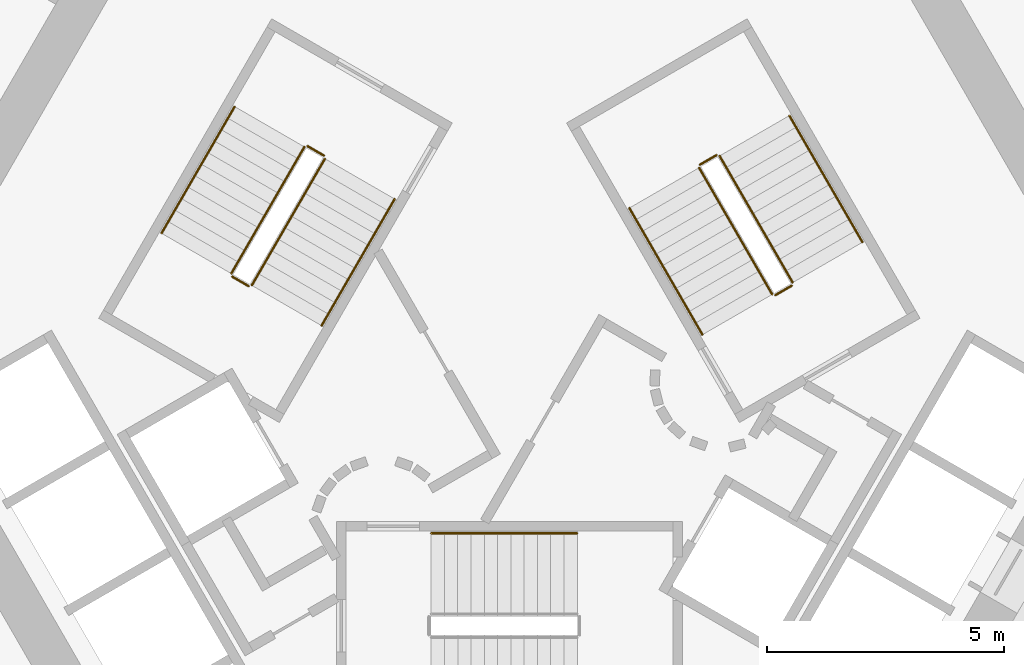
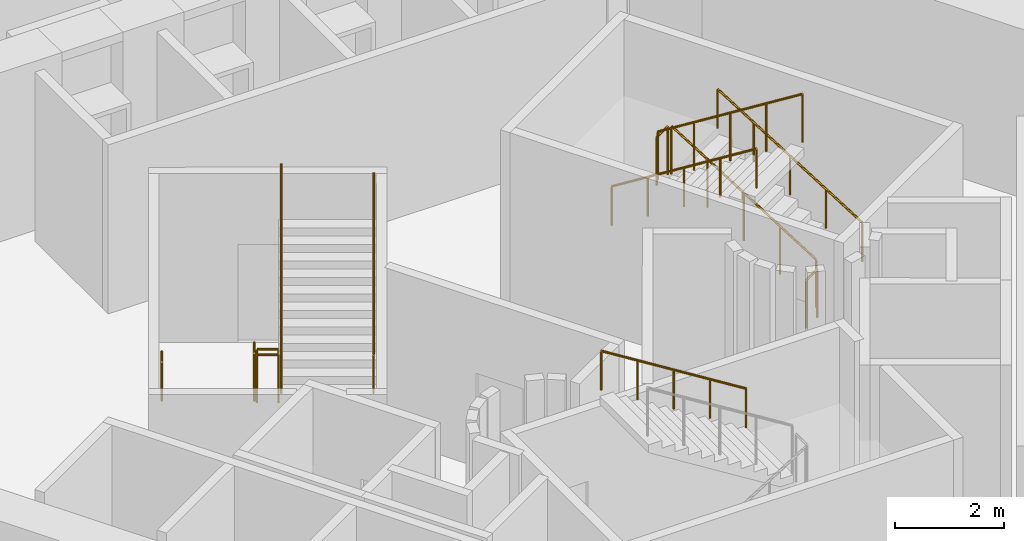
# One storey, part 14 of 14: 13 railings.
"""IFC4 building model written with IfcOpenShell, lengths in metres."""

import ifcopenshell
import ifcopenshell.guid

model = None  # the IFC model being written
_history = None  # IfcOwnerHistory: only IFC2X3 demands one
_inside = {}  # id of a spatial element -> (the spatial element, [elements in it])
_under = {}  # id of a project, library or spatial element -> (it, [spatial elements below it])
_declared = {}  # id of a project -> (the project, [libraries it declares])
_typed = {}  # id of a type object -> (the type object, [elements of that type])
_made_of = {}  # id of a material, layer set ... -> (it, [elements and type objects made of it])


def new_model(schema):
    """Start an empty IFC model of exactly this schema.

    Asked for "IFC4X3", IfcOpenShell would pick the latest addendum, in which some entities
    have other attributes; the version numbers below select the first issue.
    IFC2X3 requires an IfcOwnerHistory on every rooted entity: one is made here for all.
    """
    global model, _history
    if schema == "IFC4X3":
        model = ifcopenshell.file(schema_version=(4, 3, 0, 0))
    else:
        model = ifcopenshell.file(schema=schema)
    _inside.clear()
    _under.clear()
    _declared.clear()
    _typed.clear()
    _made_of.clear()
    _history = None
    if model.schema == "IFC2X3":
        org = make("IfcOrganization", Name="unknown")
        user = make(
            "IfcPersonAndOrganization",
            ThePerson=make("IfcPerson", FamilyName="unknown"),
            TheOrganization=org,
        )
        app = make(
            "IfcApplication",
            ApplicationDeveloper=org,
            Version="unknown",
            ApplicationFullName="unknown",
            ApplicationIdentifier="unknown",
        )
        _history = make(
            "IfcOwnerHistory",
            OwningUser=user,
            OwningApplication=app,
            ChangeAction="ADDED",
            CreationDate=0,
        )
    return model


def make(cls, **values):
    """One entity of the class cls with the attributes given. An attribute that is None is left unset."""
    return model.create_entity(
        cls, **{name: value for name, value in values.items() if value is not None}
    )


def rooted(cls, **values):
    """An entity with a GlobalId (a new one), such as an element, a storey or a relation."""
    return make(cls, GlobalId=ifcopenshell.guid.new(), OwnerHistory=_history, **values)


def si_unit(unit_type, name, prefix=None):
    """IfcSIUnit, for example si_unit("LENGTHUNIT", "METRE", prefix="MILLI")."""
    return make("IfcSIUnit", UnitType=unit_type, Prefix=prefix, Name=name)


def assignment(units):
    """IfcUnitAssignment: the units of a project."""
    return None if units is None else make("IfcUnitAssignment", Units=units)


def point(xyz):
    """IfcCartesianPoint."""
    return None if xyz is None else make("IfcCartesianPoint", Coordinates=xyz)


def direction(xyz):
    """IfcDirection."""
    return None if xyz is None else make("IfcDirection", DirectionRatios=xyz)


def frame(location, z_axis=None, x_axis=None):
    """IfcAxis2Placement3D, a coordinate frame: its origin and axes. An axis left out is left unset."""
    return make(
        "IfcAxis2Placement3D",
        Location=point(location),
        Axis=direction(z_axis),
        RefDirection=direction(x_axis),
    )


def frame_2d(location, x_axis=None):
    """IfcAxis2Placement2D, a coordinate frame in the plane: its origin and x axis."""
    return make(
        "IfcAxis2Placement2D", Location=point(location), RefDirection=direction(x_axis)
    )


def origin():
    """The frame at (0, 0, 0) with its axes left unset."""
    return frame((0.0, 0.0, 0.0))


def origin_2d():
    """The frame at (0, 0) in the plane with its x axis left unset."""
    return frame_2d((0.0, 0.0))


def place(relative_to, where):
    """IfcLocalPlacement: puts the frame where relative to a parent placement (None: the world)."""
    return make(
        "IfcLocalPlacement", PlacementRelTo=relative_to, RelativePlacement=where
    )


def context(
    kind, dimensions, precision=None, world=None, true_north=None, identifier=None
):
    """IfcGeometricRepresentationContext, for example the 3D "Model" context."""
    return make(
        "IfcGeometricRepresentationContext",
        ContextIdentifier=identifier,
        ContextType=kind,
        CoordinateSpaceDimension=dimensions,
        Precision=precision,
        WorldCoordinateSystem=world,
        TrueNorth=true_north,
    )


def subcontext(parent, identifier, kind, view, scale=None):
    """IfcGeometricRepresentationSubContext, for example "Body" below "Model"."""
    return make(
        "IfcGeometricRepresentationSubContext",
        ContextIdentifier=identifier,
        ContextType=kind,
        ParentContext=parent,
        TargetScale=scale,
        TargetView=view,
    )


def project(units=None, contexts=None):
    """IfcProject with its units and contexts."""
    return rooted(
        "IfcProject",
        Name="project",
        RepresentationContexts=contexts,
        UnitsInContext=assignment(units),
    )


def spatial(cls, under=None, at=None, **own):
    """A site, building, storey or space (cls), placed at a placement, below another one or the project."""
    s = rooted(cls, ObjectPlacement=at, **own)
    if under is not None:
        _under.setdefault(under.id(), (under, []))[1].append(s)
    return s


def profile(cls, at=None, kind="AREA", **sizes):
    """A parametric profile (cls). Its sizes go by their IFC names, for example OverallWidth=200.0."""
    return make(cls, ProfileType=kind, Position=at, **sizes)


def circle(**sizes):
    """IfcCircleProfileDef."""
    return profile("IfcCircleProfileDef", **sizes)


def extrude(swept, where, along, depth):
    """IfcExtrudedAreaSolid: the profile swept, set in the frame where, extruded along a direction by depth."""
    return make(
        "IfcExtrudedAreaSolid",
        SweptArea=swept,
        Position=where,
        ExtrudedDirection=direction(along),
        Depth=depth,
    )


def shape(context_of_items, identifier, shape_type, items):
    """IfcShapeRepresentation: the items that make up one representation, for example the "Body"."""
    return make(
        "IfcShapeRepresentation",
        ContextOfItems=context_of_items,
        RepresentationIdentifier=identifier,
        RepresentationType=shape_type,
        Items=items,
    )


def material(Name=None, Category=None):
    """IfcMaterial."""
    return make("IfcMaterial", Name=Name, Category=Category)


def made_of(thing, what):
    """Note that an element or type object is made of a material, layer set ...; save() writes the relation."""
    if what is not None:
        _made_of.setdefault(what.id(), (what, []))[1].append(thing)
    return thing


def type_object(cls, material=None, **own):
    """A type object (cls), such as IfcWallType, which elements share."""
    return made_of(rooted(cls, **own), material)


def element(
    cls,
    number,
    at=None,
    inside=None,
    cuts=None,
    type_object=None,
    material=None,
    context=None,
    identifier="Body",
    shape_type=None,
    held_by="IfcProductDefinitionShape",
    body=None,
    shapes=None,
    **own,
):
    """One element of the class cls, such as IfcWall. Its Tag is "e" and its number.

    at: its placement. inside: the storey or other place that contains it. cuts: it is an
    opening in that element (IfcRelVoidsElement). A single representation is given by context,
    identifier, shape_type and body (its items); several are given by shapes. held_by: the class
    of the entity that holds the representations. save() writes the other relations.
    """
    e = rooted(cls, Tag="e%d" % number, ObjectPlacement=at, **own)
    if body is not None:
        shapes = [shape(context, identifier, shape_type, body)]
    if shapes is not None:
        e.Representation = make(held_by, Representations=shapes)
    if inside is not None:
        _inside.setdefault(inside.id(), (inside, []))[1].append(e)
    if cuts is not None:
        rooted(
            "IfcRelVoidsElement", RelatingBuildingElement=cuts, RelatedOpeningElement=e
        )
    if type_object is not None:
        _typed.setdefault(type_object.id(), (type_object, []))[1].append(e)
    return made_of(e, material)


def aggregate(whole, parts):
    """IfcRelAggregates: a whole, such as a stair, and the parts it consists of."""
    return rooted("IfcRelAggregates", RelatingObject=whole, RelatedObjects=parts)


def save(model, path):
    """Write the relations noted so far, then the file.

    IfcRelAggregates (storeys below a building ...), IfcRelContainedInSpatialStructure (elements
    in a storey), IfcRelDefinesByType, IfcRelAssociatesMaterial and IfcRelDeclares: one each for
    every whole, place, type object, material and project.
    """
    for whole, parts in _under.values():
        aggregate(whole, parts)
    for where, things in _inside.values():
        rooted(
            "IfcRelContainedInSpatialStructure",
            RelatedElements=things,
            RelatingStructure=where,
        )
    for kind, things in _typed.values():
        rooted("IfcRelDefinesByType", RelatedObjects=things, RelatingType=kind)
    for what, things in _made_of.values():
        rooted("IfcRelAssociatesMaterial", RelatedObjects=things, RelatingMaterial=what)
    for by, libraries in _declared.values():
        rooted("IfcRelDeclares", RelatingContext=by, RelatedDefinitions=libraries)
    model.write(path)


model = new_model("IFC4")

# Units and contexts
model_context = context("Model", 3, precision=1e-05, world=origin(), true_north=direction((0.0, 1.0)))
body_context = subcontext(model_context, "Body", "Model", "MODEL_VIEW")
ifc_project = project(units=[si_unit("LENGTHUNIT", "METRE"), si_unit("AREAUNIT", "SQUARE_METRE"), si_unit("VOLUMEUNIT", "CUBIC_METRE"), si_unit("PLANEANGLEUNIT", "RADIAN"), si_unit("MASSUNIT", "GRAM", prefix="KILO")], contexts=[model_context])

# Site, building, storey
site_placement = place(None, origin())
site = spatial("IfcSite", under=ifc_project, at=site_placement, CompositionType="ELEMENT")
building_placement = place(site_placement, origin())
building = spatial("IfcBuilding", under=site, at=building_placement, Name="Entoto Arch Interchange Tower", CompositionType="ELEMENT")
storey_placement = place(building_placement, frame((0.0, 0.0, 103.39990234375)))
storey = spatial("IfcBuildingStorey", under=building, at=storey_placement, Name="L22", CompositionType="ELEMENT", Elevation=103.39990234375)

# Railings
ifc_material = material(Name="Stainless steel 1.4301", Category="steel")
railing_type_1 = type_object("IfcRailingType", Name="STAIR GUARD 1100 STEEL", PredefinedType="GUARDRAIL", material=ifc_material)
railing_1_placement = place(storey_placement, frame((5.977783203125, 4.046142578125, 0.175048828125)))
element("IfcRailing", 1, at=railing_1_placement, inside=storey, type_object=railing_type_1, Name="L22 ST-NE stair guard 1", PredefinedType="GUARDRAIL", context=body_context, shape_type="SweptSolid", body=[
    extrude(circle(Radius=0.02392578125, at=origin_2d()), frame((0.0, 0.0, 1.076171875), z_axis=(-0.424015404183, 0.734364028329, 0.530019255228), x_axis=(-0.866010015463, -0.500026652407, 0.0)), (0.0, 0.0, 1.0), 3.632080078125),
    extrude(circle(Radius=0.02099609375, at=origin_2d()), origin(), (0.0, 0.0, 1.0), 1.052001953125),
    extrude(circle(Radius=0.02099609375, at=origin_2d()), frame((-0.385009765625, 0.666748046875, 0.481201171875)), (0.0, 0.0, 1.0), 1.052001953125),
    extrude(circle(Radius=0.02099609375, at=origin_2d()), frame((-0.77001953125, 1.33349609375, 0.96240234375)), (0.0, 0.0, 1.0), 1.052001953125),
    extrude(circle(Radius=0.02099609375, at=origin_2d()), frame((-1.155029296875, 2.00048828125, 1.44384765625)), (0.0, 0.0, 1.0), 1.052001953125),
    extrude(circle(Radius=0.02099609375, at=origin_2d()), frame((-1.5400390625, 2.667236328125, 1.925048828125)), (0.0, 0.0, 1.0), 1.052001953125),
])
railing_2_placement = place(storey_placement, frame((4.36962890625, 6.731689453125, 2.10009765625)))
element("IfcRailing", 2, at=railing_2_placement, inside=storey, type_object=railing_type_1, Name="L22 ST-NE stair guard 2", PredefinedType="GUARDRAIL", context=body_context, shape_type="SweptSolid", body=[
    extrude(circle(Radius=0.02392578125, at=origin_2d()), frame((0.0, 0.0, 1.076171875), z_axis=(-0.866094119867, -0.499880961361, 0.0), x_axis=(0.499880961361, -0.866094119867, 0.0)), (0.0, 0.0, 1.0), 0.39990234375),
    extrude(circle(Radius=0.02099609375, at=origin_2d()), origin(), (0.0, 0.0, 1.0), 1.052001953125),
    extrude(circle(Radius=0.02099609375, at=origin_2d()), frame((-0.346435546875, -0.199951171875, 0.0)), (0.0, 0.0, 1.0), 1.052001953125),
])
railing_3_placement = place(storey_placement, frame((4.0048828125, 6.46337890625, 2.275146484375)))
element("IfcRailing", 3, at=railing_3_placement, inside=storey, type_object=railing_type_1, Name="L22 ST-NE stair guard 3", PredefinedType="GUARDRAIL", context=body_context, shape_type="SweptSolid", body=[
    extrude(circle(Radius=0.02392578125, at=origin_2d()), frame((0.0, 0.0, 1.076171875), z_axis=(0.424015404183, -0.734364028329, 0.530019255228), x_axis=(0.866010015463, 0.500026652407, 0.0)), (0.0, 0.0, 1.0), 3.632080078125),
    extrude(circle(Radius=0.02099609375, at=origin_2d()), origin(), (0.0, 0.0, 1.0), 1.052001953125),
    extrude(circle(Radius=0.02099609375, at=origin_2d()), frame((0.385009765625, -0.666748046875, 0.481201171875)), (0.0, 0.0, 1.0), 1.052001953125),
    extrude(circle(Radius=0.02099609375, at=origin_2d()), frame((0.77001953125, -1.33349609375, 0.96240234375)), (0.0, 0.0, 1.0), 1.052001953125),
    extrude(circle(Radius=0.02099609375, at=origin_2d()), frame((1.155029296875, -2.00048828125, 1.44384765625)), (0.0, 0.0, 1.0), 1.052001953125),
    extrude(circle(Radius=0.02099609375, at=origin_2d()), frame((1.5400390625, -2.667236328125, 1.925048828125)), (0.0, 0.0, 1.0), 1.052001953125),
])
railing_4_placement = place(storey_placement, frame((5.95947265625, 3.977783203125, 0.0)))
element("IfcRailing", 4, at=railing_4_placement, inside=storey, type_object=railing_type_1, Name="L22 ST-NE stair guard 4", PredefinedType="GUARDRAIL", context=body_context, shape_type="SweptSolid", body=[
    extrude(circle(Radius=0.02392578125, at=origin_2d()), frame((0.0, 0.0, 1.076171875), z_axis=(-0.866094119867, -0.499880961361, 0.0), x_axis=(0.499880961361, -0.866094119867, 0.0)), (0.0, 0.0, 1.0), 0.39990234375),
    extrude(circle(Radius=0.02099609375, at=origin_2d()), origin(), (0.0, 0.0, 1.0), 1.052001953125),
    extrude(circle(Radius=0.02099609375, at=origin_2d()), frame((-0.346435546875, -0.199951171875, 0.0)), (0.0, 0.0, 1.0), 1.052001953125),
])
railing_5_placement = place(storey_placement, frame((-4.327880859375, 6.904052734375, 0.175048828125)))
element("IfcRailing", 5, at=railing_5_placement, inside=storey, type_object=railing_type_1, Name="L22 ST-NW stair guard 1", PredefinedType="GUARDRAIL", context=body_context, shape_type="SweptSolid", body=[
    extrude(circle(Radius=0.02392578125, at=origin_2d()), frame((0.0, 0.0, 1.076171875), z_axis=(-0.423994474112, -0.734394994316, 0.52999309264), x_axis=(0.866029832698, -0.499992328818, 0.0)), (0.0, 0.0, 1.0), 3.63232421875),
    extrude(circle(Radius=0.02099609375, at=origin_2d()), origin(), (0.0, 0.0, 1.0), 1.052001953125),
    extrude(circle(Radius=0.02099609375, at=origin_2d()), frame((-0.385009765625, -0.6669921875, 0.481201171875)), (0.0, 0.0, 1.0), 1.052001953125),
    extrude(circle(Radius=0.02099609375, at=origin_2d()), frame((-0.77001953125, -1.333740234375, 0.96240234375)), (0.0, 0.0, 1.0), 1.052001953125),
    extrude(circle(Radius=0.02099609375, at=origin_2d()), frame((-1.155029296875, -2.00048828125, 1.44384765625)), (0.0, 0.0, 1.0), 1.052001953125),
    extrude(circle(Radius=0.02099609375, at=origin_2d()), frame((-1.5400390625, -2.66748046875, 1.925048828125)), (0.0, 0.0, 1.0), 1.052001953125),
])
railing_6_placement = place(storey_placement, frame((-5.849609375, 4.168212890625, 2.10009765625)))
element("IfcRailing", 6, at=railing_6_placement, inside=storey, type_object=railing_type_1, Name="L22 ST-NW stair guard 2", PredefinedType="GUARDRAIL", context=body_context, shape_type="SweptSolid", body=[
    extrude(circle(Radius=0.02392578125, at=origin_2d()), frame((0.0, 0.0, 1.076171875), z_axis=(0.866094119867, -0.499880961361, 0.0), x_axis=(0.499880961361, 0.866094119867, 0.0)), (0.0, 0.0, 1.0), 0.39990234375),
    extrude(circle(Radius=0.02099609375, at=origin_2d()), origin(), (0.0, 0.0, 1.0), 1.052001953125),
    extrude(circle(Radius=0.02099609375, at=origin_2d()), frame((0.346435546875, -0.199951171875, 0.0)), (0.0, 0.0, 1.0), 1.052001953125),
])
railing_7_placement = place(storey_placement, frame((-5.434814453125, 3.986572265625, 2.275146484375)))
element("IfcRailing", 7, at=railing_7_placement, inside=storey, type_object=railing_type_1, Name="L22 ST-NW stair guard 3", PredefinedType="GUARDRAIL", context=body_context, shape_type="SweptSolid", body=[
    extrude(circle(Radius=0.02392578125, at=origin_2d()), frame((0.0, 0.0, 1.076171875), z_axis=(0.423994474112, 0.734394994316, 0.52999309264), x_axis=(-0.866029832698, 0.499992328818, 0.0)), (0.0, 0.0, 1.0), 3.63232421875),
    extrude(circle(Radius=0.02099609375, at=origin_2d()), origin(), (0.0, 0.0, 1.0), 1.052001953125),
    extrude(circle(Radius=0.02099609375, at=origin_2d()), frame((0.385009765625, 0.6669921875, 0.481201171875)), (0.0, 0.0, 1.0), 1.052001953125),
    extrude(circle(Radius=0.02099609375, at=origin_2d()), frame((0.77001953125, 1.333740234375, 0.96240234375)), (0.0, 0.0, 1.0), 1.052001953125),
    extrude(circle(Radius=0.02099609375, at=origin_2d()), frame((1.155029296875, 2.00048828125, 1.44384765625)), (0.0, 0.0, 1.0), 1.052001953125),
    extrude(circle(Radius=0.02099609375, at=origin_2d()), frame((1.5400390625, 2.66748046875, 1.925048828125)), (0.0, 0.0, 1.0), 1.052001953125),
])
railing_8_placement = place(storey_placement, frame((-4.259521484375, 6.92236328125, 0.0)))
element("IfcRailing", 8, at=railing_8_placement, inside=storey, type_object=railing_type_1, Name="L22 ST-NW stair guard 4", PredefinedType="GUARDRAIL", context=body_context, shape_type="SweptSolid", body=[
    extrude(circle(Radius=0.02392578125, at=origin_2d()), frame((0.0, 0.0, 1.076171875), z_axis=(0.865829829939, -0.500338590944, 0.0), x_axis=(0.500338590944, 0.865829829939, 0.0)), (0.0, 0.0, 1.0), 0.400146484375),
    extrude(circle(Radius=0.02099609375, at=origin_2d()), origin(), (0.0, 0.0, 1.0), 1.052001953125),
    extrude(circle(Radius=0.02099609375, at=origin_2d()), frame((0.346435546875, -0.2001953125, 0.0)), (0.0, 0.0, 1.0), 1.052001953125),
])
railing_type_2 = type_object("IfcRailingType", Name="STAIR HANDRAIL 900 STEEL", PredefinedType="HANDRAIL", material=ifc_material)
railing_9_placement = place(storey_placement, frame((1.429931640625, -1.25, 2.275146484375)))
element("IfcRailing", 9, at=railing_9_placement, inside=storey, type_object=railing_type_2, Name="L22 ST-S stair handrail 2", PredefinedType="HANDRAIL", context=body_context, shape_type="SweptSolid", body=[
    extrude(circle(Radius=0.02392578125, at=origin_2d()), frame((0.0, 0.0, 0.8759765625), z_axis=(-0.847979421464, 0.0, 0.530029150871), x_axis=(0.0, -1.0, 0.0)), (0.0, 0.0, 1.0), 3.632080078125),
    extrude(circle(Radius=0.02099609375, at=origin_2d()), origin(), (0.0, 0.0, 1.0), 0.851806640625),
    extrude(circle(Radius=0.02099609375, at=origin_2d()), frame((-0.77001953125, 0.0, 0.481201171875)), (0.0, 0.0, 1.0), 0.851806640625),
    extrude(circle(Radius=0.02099609375, at=origin_2d()), frame((-1.5400390625, 0.0, 0.96240234375)), (0.0, 0.0, 1.0), 0.851806640625),
    extrude(circle(Radius=0.02099609375, at=origin_2d()), frame((-2.309814453125, 0.0, 1.44384765625)), (0.0, 0.0, 1.0), 0.851806640625),
    extrude(circle(Radius=0.02099609375, at=origin_2d()), frame((-3.079833984375, 0.0, 1.925048828125)), (0.0, 0.0, 1.0), 0.851806640625),
])
railing_10_placement = place(storey_placement, frame((7.4501953125, 4.89599609375, 0.175048828125)))
element("IfcRailing", 10, at=railing_10_placement, inside=storey, type_object=railing_type_2, Name="L22 ST-NE stair handrail 1", PredefinedType="HANDRAIL", context=body_context, shape_type="SweptSolid", body=[
    extrude(circle(Radius=0.02392578125, at=origin_2d()), frame((0.0, 0.0, 0.8759765625), z_axis=(-0.423994474112, 0.734394994316, 0.52999309264), x_axis=(-0.866029832698, -0.499992328818, 0.0)), (0.0, 0.0, 1.0), 3.63232421875),
    extrude(circle(Radius=0.02099609375, at=origin_2d()), origin(), (0.0, 0.0, 1.0), 0.851806640625),
    extrude(circle(Radius=0.02099609375, at=origin_2d()), frame((-0.385009765625, 0.6669921875, 0.481201171875)), (0.0, 0.0, 1.0), 0.851806640625),
    extrude(circle(Radius=0.02099609375, at=origin_2d()), frame((-0.77001953125, 1.333740234375, 0.96240234375)), (0.0, 0.0, 1.0), 0.851806640625),
    extrude(circle(Radius=0.02099609375, at=origin_2d()), frame((-1.155029296875, 2.00048828125, 1.44384765625)), (0.0, 0.0, 1.0), 0.851806640625),
    extrude(circle(Radius=0.02099609375, at=origin_2d()), frame((-1.5400390625, 2.66748046875, 1.925048828125)), (0.0, 0.0, 1.0), 0.851806640625),
])
railing_11_placement = place(storey_placement, frame((2.53271484375, 5.613525390625, 2.275146484375)))
element("IfcRailing", 11, at=railing_11_placement, inside=storey, type_object=railing_type_2, Name="L22 ST-NE stair handrail 2", PredefinedType="HANDRAIL", context=body_context, shape_type="SweptSolid", body=[
    extrude(circle(Radius=0.02392578125, at=origin_2d()), frame((0.0, 0.0, 0.8759765625), z_axis=(0.423939339791, -0.734415923031, 0.53000819633), x_axis=(0.866064153644, 0.499932877268, 0.0)), (0.0, 0.0, 1.0), 3.632080078125),
    extrude(circle(Radius=0.02099609375, at=origin_2d()), origin(), (0.0, 0.0, 1.0), 0.851806640625),
    extrude(circle(Radius=0.02099609375, at=origin_2d()), frame((0.385009765625, -0.6669921875, 0.481201171875)), (0.0, 0.0, 1.0), 0.851806640625),
    extrude(circle(Radius=0.02099609375, at=origin_2d()), frame((0.77001953125, -1.333740234375, 0.96240234375)), (0.0, 0.0, 1.0), 0.851806640625),
    extrude(circle(Radius=0.02099609375, at=origin_2d()), frame((1.15478515625, -2.00048828125, 1.44384765625)), (0.0, 0.0, 1.0), 0.851806640625),
    extrude(circle(Radius=0.02099609375, at=origin_2d()), frame((1.539794921875, -2.66748046875, 1.925048828125)), (0.0, 0.0, 1.0), 0.851806640625),
])
railing_12_placement = place(storey_placement, frame((-5.800048828125, 7.75390625, 0.175048828125)))
element("IfcRailing", 12, at=railing_12_placement, inside=storey, type_object=railing_type_2, Name="L22 ST-NW stair handrail 1", PredefinedType="HANDRAIL", context=body_context, shape_type="SweptSolid", body=[
    extrude(circle(Radius=0.02392578125, at=origin_2d()), frame((0.0, 0.0, 0.8759765625), z_axis=(-0.424015404183, -0.734364028329, 0.530019255228), x_axis=(0.866010015463, -0.500026652407, 0.0)), (0.0, 0.0, 1.0), 3.632080078125),
    extrude(circle(Radius=0.02099609375, at=origin_2d()), origin(), (0.0, 0.0, 1.0), 0.851806640625),
    extrude(circle(Radius=0.02099609375, at=origin_2d()), frame((-0.385009765625, -0.666748046875, 0.481201171875)), (0.0, 0.0, 1.0), 0.851806640625),
    extrude(circle(Radius=0.02099609375, at=origin_2d()), frame((-0.77001953125, -1.33349609375, 0.96240234375)), (0.0, 0.0, 1.0), 0.851806640625),
    extrude(circle(Radius=0.02099609375, at=origin_2d()), frame((-1.155029296875, -2.00048828125, 1.44384765625)), (0.0, 0.0, 1.0), 0.851806640625),
    extrude(circle(Radius=0.02099609375, at=origin_2d()), frame((-1.5400390625, -2.667236328125, 1.925048828125)), (0.0, 0.0, 1.0), 0.851806640625),
])
railing_13_placement = place(storey_placement, frame((-3.962646484375, 3.136474609375, 2.275146484375)))
element("IfcRailing", 13, at=railing_13_placement, inside=storey, type_object=railing_type_2, Name="L22 ST-NW stair handrail 2", PredefinedType="HANDRAIL", context=body_context, shape_type="SweptSolid", body=[
    extrude(circle(Radius=0.02392578125, at=origin_2d()), frame((0.0, 0.0, 0.8759765625), z_axis=(0.423994474112, 0.734394994316, 0.52999309264), x_axis=(-0.866029832698, 0.499992328818, 0.0)), (0.0, 0.0, 1.0), 3.63232421875),
    extrude(circle(Radius=0.02099609375, at=origin_2d()), origin(), (0.0, 0.0, 1.0), 0.851806640625),
    extrude(circle(Radius=0.02099609375, at=origin_2d()), frame((0.385009765625, 0.6669921875, 0.481201171875)), (0.0, 0.0, 1.0), 0.851806640625),
    extrude(circle(Radius=0.02099609375, at=origin_2d()), frame((0.77001953125, 1.333740234375, 0.96240234375)), (0.0, 0.0, 1.0), 0.851806640625),
    extrude(circle(Radius=0.02099609375, at=origin_2d()), frame((1.155029296875, 2.00048828125, 1.44384765625)), (0.0, 0.0, 1.0), 0.851806640625),
    extrude(circle(Radius=0.02099609375, at=origin_2d()), frame((1.5400390625, 2.66748046875, 1.925048828125)), (0.0, 0.0, 1.0), 0.851806640625),
])

save(model, "model.ifc")
